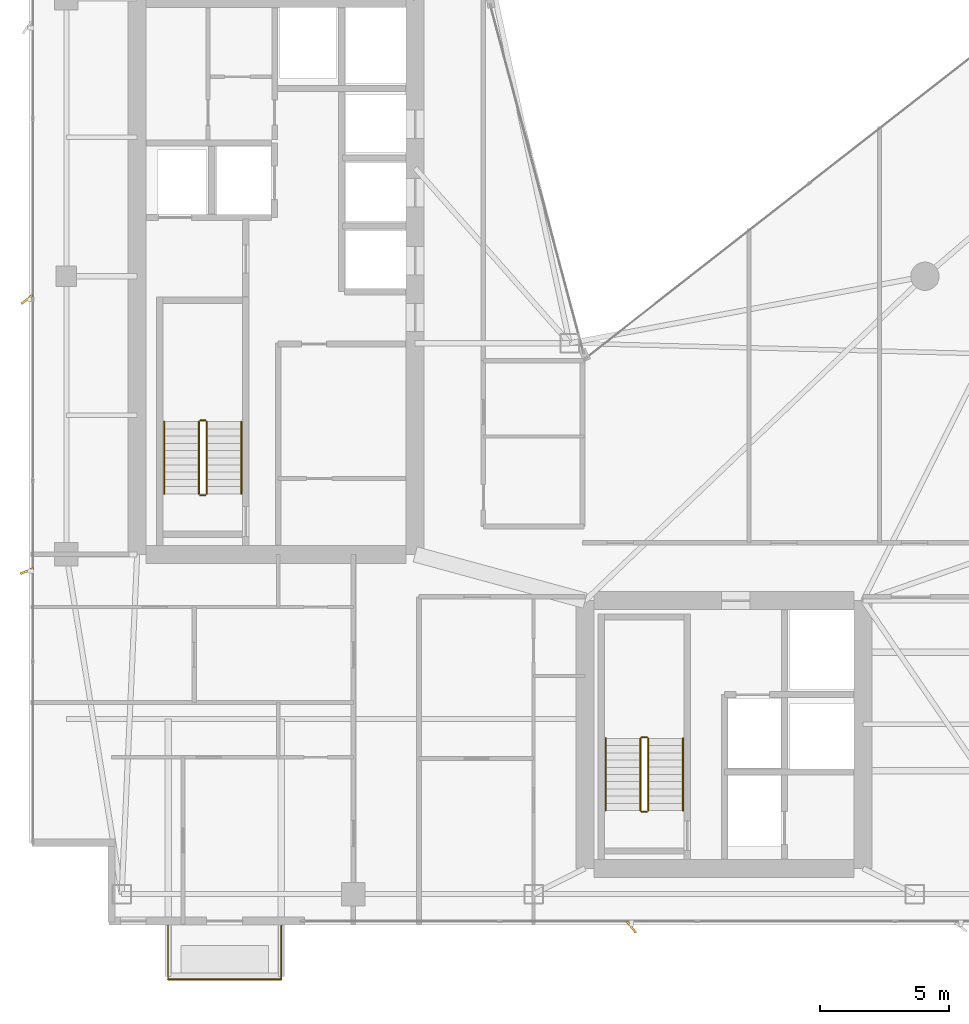
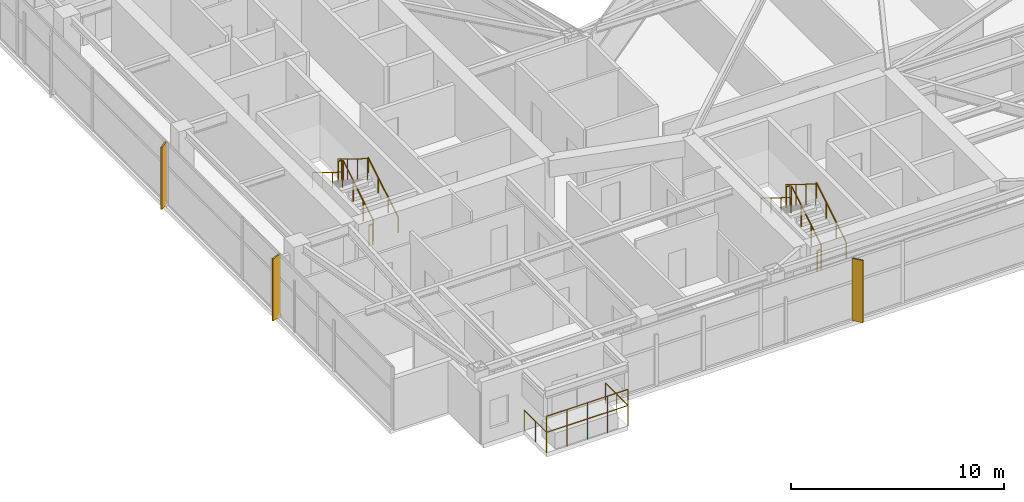
# One storey, part 28 of 29: 14 railings, 3 shading devices.
"""IFC4 building model written with IfcOpenShell, lengths in metres."""

import ifcopenshell
import ifcopenshell.guid

model = None  # the IFC model being written
_history = None  # IfcOwnerHistory: only IFC2X3 demands one
_inside = {}  # id of a spatial element -> (the spatial element, [elements in it])
_under = {}  # id of a project, library or spatial element -> (it, [spatial elements below it])
_declared = {}  # id of a project -> (the project, [libraries it declares])
_typed = {}  # id of a type object -> (the type object, [elements of that type])
_made_of = {}  # id of a material, layer set ... -> (it, [elements and type objects made of it])


def new_model(schema):
    """Start an empty IFC model of exactly this schema.

    Asked for "IFC4X3", IfcOpenShell would pick the latest addendum, in which some entities
    have other attributes; the version numbers below select the first issue.
    IFC2X3 requires an IfcOwnerHistory on every rooted entity: one is made here for all.
    """
    global model, _history
    if schema == "IFC4X3":
        model = ifcopenshell.file(schema_version=(4, 3, 0, 0))
    else:
        model = ifcopenshell.file(schema=schema)
    _inside.clear()
    _under.clear()
    _declared.clear()
    _typed.clear()
    _made_of.clear()
    _history = None
    if model.schema == "IFC2X3":
        org = make("IfcOrganization", Name="unknown")
        user = make(
            "IfcPersonAndOrganization",
            ThePerson=make("IfcPerson", FamilyName="unknown"),
            TheOrganization=org,
        )
        app = make(
            "IfcApplication",
            ApplicationDeveloper=org,
            Version="unknown",
            ApplicationFullName="unknown",
            ApplicationIdentifier="unknown",
        )
        _history = make(
            "IfcOwnerHistory",
            OwningUser=user,
            OwningApplication=app,
            ChangeAction="ADDED",
            CreationDate=0,
        )
    return model


def make(cls, **values):
    """One entity of the class cls with the attributes given. An attribute that is None is left unset."""
    return model.create_entity(
        cls, **{name: value for name, value in values.items() if value is not None}
    )


def rooted(cls, **values):
    """An entity with a GlobalId (a new one), such as an element, a storey or a relation."""
    return make(cls, GlobalId=ifcopenshell.guid.new(), OwnerHistory=_history, **values)


def si_unit(unit_type, name, prefix=None):
    """IfcSIUnit, for example si_unit("LENGTHUNIT", "METRE", prefix="MILLI")."""
    return make("IfcSIUnit", UnitType=unit_type, Prefix=prefix, Name=name)


def assignment(units):
    """IfcUnitAssignment: the units of a project."""
    return None if units is None else make("IfcUnitAssignment", Units=units)


def point(xyz):
    """IfcCartesianPoint."""
    return None if xyz is None else make("IfcCartesianPoint", Coordinates=xyz)


def direction(xyz):
    """IfcDirection."""
    return None if xyz is None else make("IfcDirection", DirectionRatios=xyz)


def frame(location, z_axis=None, x_axis=None):
    """IfcAxis2Placement3D, a coordinate frame: its origin and axes. An axis left out is left unset."""
    return make(
        "IfcAxis2Placement3D",
        Location=point(location),
        Axis=direction(z_axis),
        RefDirection=direction(x_axis),
    )


def frame_2d(location, x_axis=None):
    """IfcAxis2Placement2D, a coordinate frame in the plane: its origin and x axis."""
    return make(
        "IfcAxis2Placement2D", Location=point(location), RefDirection=direction(x_axis)
    )


def origin():
    """The frame at (0, 0, 0) with its axes left unset."""
    return frame((0.0, 0.0, 0.0))


def origin_2d():
    """The frame at (0, 0) in the plane with its x axis left unset."""
    return frame_2d((0.0, 0.0))


def place(relative_to, where):
    """IfcLocalPlacement: puts the frame where relative to a parent placement (None: the world)."""
    return make(
        "IfcLocalPlacement", PlacementRelTo=relative_to, RelativePlacement=where
    )


def context(
    kind, dimensions, precision=None, world=None, true_north=None, identifier=None
):
    """IfcGeometricRepresentationContext, for example the 3D "Model" context."""
    return make(
        "IfcGeometricRepresentationContext",
        ContextIdentifier=identifier,
        ContextType=kind,
        CoordinateSpaceDimension=dimensions,
        Precision=precision,
        WorldCoordinateSystem=world,
        TrueNorth=true_north,
    )


def subcontext(parent, identifier, kind, view, scale=None):
    """IfcGeometricRepresentationSubContext, for example "Body" below "Model"."""
    return make(
        "IfcGeometricRepresentationSubContext",
        ContextIdentifier=identifier,
        ContextType=kind,
        ParentContext=parent,
        TargetScale=scale,
        TargetView=view,
    )


def project(units=None, contexts=None):
    """IfcProject with its units and contexts."""
    return rooted(
        "IfcProject",
        Name="project",
        RepresentationContexts=contexts,
        UnitsInContext=assignment(units),
    )


def spatial(cls, under=None, at=None, **own):
    """A site, building, storey or space (cls), placed at a placement, below another one or the project."""
    s = rooted(cls, ObjectPlacement=at, **own)
    if under is not None:
        _under.setdefault(under.id(), (under, []))[1].append(s)
    return s


def profile(cls, at=None, kind="AREA", **sizes):
    """A parametric profile (cls). Its sizes go by their IFC names, for example OverallWidth=200.0."""
    return make(cls, ProfileType=kind, Position=at, **sizes)


def rectangle(**sizes):
    """IfcRectangleProfileDef."""
    return profile("IfcRectangleProfileDef", **sizes)


def circle(**sizes):
    """IfcCircleProfileDef."""
    return profile("IfcCircleProfileDef", **sizes)


def extrude(swept, where, along, depth):
    """IfcExtrudedAreaSolid: the profile swept, set in the frame where, extruded along a direction by depth."""
    return make(
        "IfcExtrudedAreaSolid",
        SweptArea=swept,
        Position=where,
        ExtrudedDirection=direction(along),
        Depth=depth,
    )


def shape(context_of_items, identifier, shape_type, items):
    """IfcShapeRepresentation: the items that make up one representation, for example the "Body"."""
    return make(
        "IfcShapeRepresentation",
        ContextOfItems=context_of_items,
        RepresentationIdentifier=identifier,
        RepresentationType=shape_type,
        Items=items,
    )


def material(Name=None, Category=None):
    """IfcMaterial."""
    return make("IfcMaterial", Name=Name, Category=Category)


def made_of(thing, what):
    """Note that an element or type object is made of a material, layer set ...; save() writes the relation."""
    if what is not None:
        _made_of.setdefault(what.id(), (what, []))[1].append(thing)
    return thing


def type_object(cls, material=None, **own):
    """A type object (cls), such as IfcWallType, which elements share."""
    return made_of(rooted(cls, **own), material)


def element(
    cls,
    number,
    at=None,
    inside=None,
    cuts=None,
    type_object=None,
    material=None,
    context=None,
    identifier="Body",
    shape_type=None,
    held_by="IfcProductDefinitionShape",
    body=None,
    shapes=None,
    **own,
):
    """One element of the class cls, such as IfcWall. Its Tag is "e" and its number.

    at: its placement. inside: the storey or other place that contains it. cuts: it is an
    opening in that element (IfcRelVoidsElement). A single representation is given by context,
    identifier, shape_type and body (its items); several are given by shapes. held_by: the class
    of the entity that holds the representations. save() writes the other relations.
    """
    e = rooted(cls, Tag="e%d" % number, ObjectPlacement=at, **own)
    if body is not None:
        shapes = [shape(context, identifier, shape_type, body)]
    if shapes is not None:
        e.Representation = make(held_by, Representations=shapes)
    if inside is not None:
        _inside.setdefault(inside.id(), (inside, []))[1].append(e)
    if cuts is not None:
        rooted(
            "IfcRelVoidsElement", RelatingBuildingElement=cuts, RelatedOpeningElement=e
        )
    if type_object is not None:
        _typed.setdefault(type_object.id(), (type_object, []))[1].append(e)
    return made_of(e, material)


def aggregate(whole, parts):
    """IfcRelAggregates: a whole, such as a stair, and the parts it consists of."""
    return rooted("IfcRelAggregates", RelatingObject=whole, RelatedObjects=parts)


def save(model, path):
    """Write the relations noted so far, then the file.

    IfcRelAggregates (storeys below a building ...), IfcRelContainedInSpatialStructure (elements
    in a storey), IfcRelDefinesByType, IfcRelAssociatesMaterial and IfcRelDeclares: one each for
    every whole, place, type object, material and project.
    """
    for whole, parts in _under.values():
        aggregate(whole, parts)
    for where, things in _inside.values():
        rooted(
            "IfcRelContainedInSpatialStructure",
            RelatedElements=things,
            RelatingStructure=where,
        )
    for kind, things in _typed.values():
        rooted("IfcRelDefinesByType", RelatedObjects=things, RelatingType=kind)
    for what, things in _made_of.values():
        rooted("IfcRelAssociatesMaterial", RelatedObjects=things, RelatingMaterial=what)
    for by, libraries in _declared.values():
        rooted("IfcRelDeclares", RelatingContext=by, RelatedDefinitions=libraries)
    model.write(path)


model = new_model("IFC4")

# Units and contexts
model_context = context("Model", 3, precision=1e-05, world=origin(), true_north=direction((0.0, 1.0)))
body_context = subcontext(model_context, "Body", "Model", "MODEL_VIEW")
ifc_project = project(units=[si_unit("LENGTHUNIT", "METRE"), si_unit("AREAUNIT", "SQUARE_METRE"), si_unit("VOLUMEUNIT", "CUBIC_METRE"), si_unit("PLANEANGLEUNIT", "RADIAN"), si_unit("MASSUNIT", "GRAM", prefix="KILO")], contexts=[model_context])

# Site, building, storey
site_placement = place(None, origin())
site = spatial("IfcSite", under=ifc_project, at=site_placement, CompositionType="ELEMENT")
building_placement = place(site_placement, origin())
building = spatial("IfcBuilding", under=site, at=building_placement, Name="Calvorn Quay Hotel", CompositionType="ELEMENT")
storey_placement = place(building_placement, frame((0.0, 0.0, 211.0)))
storey = spatial("IfcBuildingStorey", under=building, at=storey_placement, Name="L52", CompositionType="ELEMENT", Elevation=211.0)

# Railings
ifc_material_1 = material(Name="Pale Anodised Aluminium and Laminated Glass", Category="aluminium")
railing_type_1 = type_object("IfcRailingType", Name="RLG-BALUSTRADE-1200", PredefinedType="BALUSTRADE", material=ifc_material_1)
railing_1_placement = place(storey_placement, frame((5.39990234375, 2.389892578125, 0.0)))
element("IfcRailing", 1, at=railing_1_placement, inside=storey, type_object=railing_type_1, Name="Tree Balcony Perimeter Balustrade L52-BALC-S", PredefinedType="BALUSTRADE", context=body_context, shape_type="SweptSolid", body=[
    extrude(circle(Radius=0.02392578125, at=origin_2d()), frame((0.0, 0.0, 1.17578125), z_axis=(0.0, -1.0, 0.0), x_axis=(1.0, 0.0, 0.0)), (0.0, 0.0, 1.0), 2.099853515625),
    extrude(circle(Radius=0.02392578125, at=origin_2d()), frame((0.0, -2.099853515625, 1.17578125), z_axis=(1.0, 0.0, 0.0), x_axis=(0.0, 1.0, 0.0)), (0.0, 0.0, 1.0), 4.400146484375),
    extrude(circle(Radius=0.02392578125, at=origin_2d()), frame((4.400146484375, -2.099853515625, 1.17578125), z_axis=(0.0, 1.0, 0.0), x_axis=(-1.0, 0.0, 0.0)), (0.0, 0.0, 1.0), 2.099853515625),
    extrude(circle(Radius=0.02099609375, at=origin_2d()), origin(), (0.0, 0.0, 1.0), 1.15185546875),
    extrude(circle(Radius=0.02099609375, at=origin_2d()), frame((0.0, -1.0498046875, 0.0)), (0.0, 0.0, 1.0), 1.15185546875),
    extrude(circle(Radius=0.02099609375, at=origin_2d()), frame((0.0, -2.099853515625, 0.0)), (0.0, 0.0, 1.0), 1.15185546875),
    extrude(circle(Radius=0.02099609375, at=origin_2d()), frame((1.10009765625, -2.099853515625, 0.0)), (0.0, 0.0, 1.0), 1.15185546875),
    extrude(circle(Radius=0.02099609375, at=origin_2d()), frame((2.2001953125, -2.099853515625, 0.0)), (0.0, 0.0, 1.0), 1.15185546875),
    extrude(circle(Radius=0.02099609375, at=origin_2d()), frame((3.300048828125, -2.099853515625, 0.0)), (0.0, 0.0, 1.0), 1.15185546875),
    extrude(circle(Radius=0.02099609375, at=origin_2d()), frame((4.400146484375, -2.099853515625, 0.0)), (0.0, 0.0, 1.0), 1.15185546875),
    extrude(circle(Radius=0.02099609375, at=origin_2d()), frame((4.400146484375, -1.0498046875, 0.0)), (0.0, 0.0, 1.0), 1.15185546875),
    extrude(circle(Radius=0.02099609375, at=origin_2d()), frame((4.400146484375, 0.0, 0.0)), (0.0, 0.0, 1.0), 1.15185546875),
])
railing_2_placement = place(storey_placement, frame((5.39990234375, 0.2900390625, 0.89990234375)))
element("IfcRailing", 2, at=railing_2_placement, inside=storey, type_object=railing_type_1, Name="Planter Kerb High Safety Screen L52-BALC-S", PredefinedType="BALUSTRADE", context=body_context, shape_type="SweptSolid", body=[
    extrude(circle(Radius=0.02392578125, at=origin_2d()), frame((0.0, 0.0, 1.19580078125), z_axis=(1.0, 0.0, 0.0), x_axis=(0.0, 1.0, 0.0)), (0.0, 0.0, 1.0), 4.400146484375),
    extrude(circle(Radius=0.02099609375, at=origin_2d()), origin(), (0.0, 0.0, 1.0), 1.171875),
    extrude(circle(Radius=0.02099609375, at=origin_2d()), frame((1.10009765625, 0.0, 0.0)), (0.0, 0.0, 1.0), 1.171875),
    extrude(circle(Radius=0.02099609375, at=origin_2d()), frame((2.2001953125, 0.0, 0.0)), (0.0, 0.0, 1.0), 1.171875),
    extrude(circle(Radius=0.02099609375, at=origin_2d()), frame((3.300048828125, 0.0, 0.0)), (0.0, 0.0, 1.0), 1.171875),
    extrude(circle(Radius=0.02099609375, at=origin_2d()), frame((4.400146484375, 0.0, 0.0)), (0.0, 0.0, 1.0), 1.171875),
])
ifc_material_2 = material(Name="Brushed Stainless Steel Handrail", Category="steel")
railing_type_2 = type_object("IfcRailingType", Name="RLG-HANDRAIL-900", PredefinedType="HANDRAIL", material=ifc_material_2)
railing_3_placement = place(storey_placement, frame((8.25, 19.14990234375, 0.172607421875)))
element("IfcRailing", 3, at=railing_3_placement, inside=storey, type_object=railing_type_2, Name="L52 ST-W stair handrail 1", PredefinedType="HANDRAIL", context=body_context, shape_type="SweptSolid", body=[
    extrude(circle(Radius=0.02392578125, at=origin_2d()), frame((0.0, 0.0, 0.8759765625), z_axis=(0.0, 0.851089632645, 0.525020415988), x_axis=(-1.0, 0.0, 0.0)), (0.0, 0.0, 1.0), 3.2900390625),
    extrude(circle(Radius=0.02099609375, at=origin_2d()), origin(), (0.0, 0.0, 1.0), 0.851806640625),
    extrude(circle(Radius=0.02099609375, at=origin_2d()), frame((0.0, 0.933349609375, 0.57568359375)), (0.0, 0.0, 1.0), 0.851806640625),
    extrude(circle(Radius=0.02099609375, at=origin_2d()), frame((0.0, 1.86669921875, 1.151611328125)), (0.0, 0.0, 1.0), 0.851806640625),
    extrude(circle(Radius=0.02099609375, at=origin_2d()), frame((0.0, 2.800048828125, 1.727294921875)), (0.0, 0.0, 1.0), 0.851806640625),
])
railing_4_placement = place(storey_placement, frame((5.25, 21.949951171875, 2.07275390625)))
element("IfcRailing", 4, at=railing_4_placement, inside=storey, type_object=railing_type_2, Name="L52 ST-W stair handrail 2", PredefinedType="HANDRAIL", context=body_context, shape_type="SweptSolid", body=[
    extrude(circle(Radius=0.02392578125, at=origin_2d()), frame((0.0, 0.0, 0.8759765625), z_axis=(0.0, -0.851089632645, 0.525020415988), x_axis=(1.0, 0.0, 0.0)), (0.0, 0.0, 1.0), 3.2900390625),
    extrude(circle(Radius=0.02099609375, at=origin_2d()), origin(), (0.0, 0.0, 1.0), 0.851806640625),
    extrude(circle(Radius=0.02099609375, at=origin_2d()), frame((0.0, -0.933349609375, 0.57568359375)), (0.0, 0.0, 1.0), 0.851806640625),
    extrude(circle(Radius=0.02099609375, at=origin_2d()), frame((0.0, -1.86669921875, 1.151611328125)), (0.0, 0.0, 1.0), 0.851806640625),
    extrude(circle(Radius=0.02099609375, at=origin_2d()), frame((0.0, -2.800048828125, 1.727294921875)), (0.0, 0.0, 1.0), 0.851806640625),
])
railing_5_placement = place(storey_placement, frame((25.39990234375, 6.85009765625, 0.172607421875)))
element("IfcRailing", 5, at=railing_5_placement, inside=storey, type_object=railing_type_2, Name="L52 ST-E stair handrail 1", PredefinedType="HANDRAIL", context=body_context, shape_type="SweptSolid", body=[
    extrude(circle(Radius=0.02392578125, at=origin_2d()), frame((0.0, 0.0, 0.8759765625), z_axis=(0.0, 0.851069175582, 0.525053576669), x_axis=(-1.0, 0.0, 0.0)), (0.0, 0.0, 1.0), 3.289794921875),
    extrude(circle(Radius=0.02099609375, at=origin_2d()), origin(), (0.0, 0.0, 1.0), 0.851806640625),
    extrude(circle(Radius=0.02099609375, at=origin_2d()), frame((0.0, 0.933349609375, 0.57568359375)), (0.0, 0.0, 1.0), 0.851806640625),
    extrude(circle(Radius=0.02099609375, at=origin_2d()), frame((0.0, 1.866455078125, 1.151611328125)), (0.0, 0.0, 1.0), 0.851806640625),
    extrude(circle(Radius=0.02099609375, at=origin_2d()), frame((0.0, 2.7998046875, 1.727294921875)), (0.0, 0.0, 1.0), 0.851806640625),
])
railing_6_placement = place(storey_placement, frame((22.39990234375, 9.64990234375, 2.07275390625)))
element("IfcRailing", 6, at=railing_6_placement, inside=storey, type_object=railing_type_2, Name="L52 ST-E stair handrail 2", PredefinedType="HANDRAIL", context=body_context, shape_type="SweptSolid", body=[
    extrude(circle(Radius=0.02392578125, at=origin_2d()), frame((0.0, 0.0, 0.8759765625), z_axis=(0.0, -0.851069175582, 0.525053576669), x_axis=(1.0, 0.0, 0.0)), (0.0, 0.0, 1.0), 3.289794921875),
    extrude(circle(Radius=0.02099609375, at=origin_2d()), origin(), (0.0, 0.0, 1.0), 0.851806640625),
    extrude(circle(Radius=0.02099609375, at=origin_2d()), frame((0.0, -0.933349609375, 0.57568359375)), (0.0, 0.0, 1.0), 0.851806640625),
    extrude(circle(Radius=0.02099609375, at=origin_2d()), frame((0.0, -1.866455078125, 1.151611328125)), (0.0, 0.0, 1.0), 0.851806640625),
    extrude(circle(Radius=0.02099609375, at=origin_2d()), frame((0.0, -2.7998046875, 1.727294921875)), (0.0, 0.0, 1.0), 0.851806640625),
])
ifc_material_3 = material(Name="Painted Galvanised Steel Balustrade", Category="steel")
railing_type_3 = type_object("IfcRailingType", Name="RLG-STAIR-GUARD-1120", PredefinedType="GUARDRAIL", material=ifc_material_3)
railing_7_placement = place(storey_placement, frame((6.89990234375, 19.14990234375, 0.172607421875)))
element("IfcRailing", 7, at=railing_7_placement, inside=storey, type_object=railing_type_3, Name="L52 ST-W stair guard 1", PredefinedType="GUARDRAIL", context=body_context, shape_type="SweptSolid", body=[
    extrude(circle(Radius=0.02392578125, at=origin_2d()), frame((0.0, 0.0, 1.17578125), z_axis=(0.0, 0.851089632645, 0.525020415988), x_axis=(-1.0, 0.0, 0.0)), (0.0, 0.0, 1.0), 3.2900390625),
    extrude(circle(Radius=0.02099609375, at=origin_2d()), origin(), (0.0, 0.0, 1.0), 1.15185546875),
    extrude(circle(Radius=0.02099609375, at=origin_2d()), frame((0.0, 0.933349609375, 0.57568359375)), (0.0, 0.0, 1.0), 1.15185546875),
    extrude(circle(Radius=0.02099609375, at=origin_2d()), frame((0.0, 1.86669921875, 1.151611328125)), (0.0, 0.0, 1.0), 1.15185546875),
    extrude(circle(Radius=0.02099609375, at=origin_2d()), frame((0.0, 2.800048828125, 1.727294921875)), (0.0, 0.0, 1.0), 1.15185546875),
])
railing_8_placement = place(storey_placement, frame((6.85009765625, 22.0, 1.89990234375)))
element("IfcRailing", 8, at=railing_8_placement, inside=storey, type_object=railing_type_3, Name="L52 ST-W stair guard 2", PredefinedType="GUARDRAIL", context=body_context, shape_type="SweptSolid", body=[
    extrude(circle(Radius=0.02392578125, at=origin_2d()), frame((0.0, 0.0, 1.17578125), z_axis=(-1.0, 0.0, 0.0), x_axis=(0.0, -1.0, 0.0)), (0.0, 0.0, 1.0), 0.2001953125),
    extrude(circle(Radius=0.02099609375, at=origin_2d()), origin(), (0.0, 0.0, 1.0), 1.15185546875),
    extrude(circle(Radius=0.02099609375, at=origin_2d()), frame((-0.2001953125, 0.0, 0.0)), (0.0, 0.0, 1.0), 1.15185546875),
])
railing_9_placement = place(storey_placement, frame((6.60009765625, 21.949951171875, 2.07275390625)))
element("IfcRailing", 9, at=railing_9_placement, inside=storey, type_object=railing_type_3, Name="L52 ST-W stair guard 3", PredefinedType="GUARDRAIL", context=body_context, shape_type="SweptSolid", body=[
    extrude(circle(Radius=0.02392578125, at=origin_2d()), frame((0.0, 0.0, 1.17578125), z_axis=(0.0, -0.851089632645, 0.525020415988), x_axis=(1.0, 0.0, 0.0)), (0.0, 0.0, 1.0), 3.2900390625),
    extrude(circle(Radius=0.02099609375, at=origin_2d()), origin(), (0.0, 0.0, 1.0), 1.15185546875),
    extrude(circle(Radius=0.02099609375, at=origin_2d()), frame((0.0, -0.933349609375, 0.57568359375)), (0.0, 0.0, 1.0), 1.15185546875),
    extrude(circle(Radius=0.02099609375, at=origin_2d()), frame((0.0, -1.86669921875, 1.151611328125)), (0.0, 0.0, 1.0), 1.15185546875),
    extrude(circle(Radius=0.02099609375, at=origin_2d()), frame((0.0, -2.800048828125, 1.727294921875)), (0.0, 0.0, 1.0), 1.15185546875),
])
railing_10_placement = place(storey_placement, frame((6.85009765625, 19.10009765625, 0.0)))
element("IfcRailing", 10, at=railing_10_placement, inside=storey, type_object=railing_type_3, Name="L52 ST-W stair guard 4", PredefinedType="GUARDRAIL", context=body_context, shape_type="SweptSolid", body=[
    extrude(circle(Radius=0.02392578125, at=origin_2d()), frame((0.0, 0.0, 1.17578125), z_axis=(-1.0, 0.0, 0.0), x_axis=(0.0, -1.0, 0.0)), (0.0, 0.0, 1.0), 0.2001953125),
    extrude(circle(Radius=0.02099609375, at=origin_2d()), origin(), (0.0, 0.0, 1.0), 1.15185546875),
    extrude(circle(Radius=0.02099609375, at=origin_2d()), frame((-0.2001953125, 0.0, 0.0)), (0.0, 0.0, 1.0), 1.15185546875),
])
railing_11_placement = place(storey_placement, frame((24.050048828125, 6.85009765625, 0.172607421875)))
element("IfcRailing", 11, at=railing_11_placement, inside=storey, type_object=railing_type_3, Name="L52 ST-E stair guard 1", PredefinedType="GUARDRAIL", context=body_context, shape_type="SweptSolid", body=[
    extrude(circle(Radius=0.02392578125, at=origin_2d()), frame((0.0, 0.0, 1.17578125), z_axis=(0.0, 0.851069175582, 0.525053576669), x_axis=(-1.0, 0.0, 0.0)), (0.0, 0.0, 1.0), 3.289794921875),
    extrude(circle(Radius=0.02099609375, at=origin_2d()), origin(), (0.0, 0.0, 1.0), 1.15185546875),
    extrude(circle(Radius=0.02099609375, at=origin_2d()), frame((0.0, 0.933349609375, 0.57568359375)), (0.0, 0.0, 1.0), 1.15185546875),
    extrude(circle(Radius=0.02099609375, at=origin_2d()), frame((0.0, 1.866455078125, 1.151611328125)), (0.0, 0.0, 1.0), 1.15185546875),
    extrude(circle(Radius=0.02099609375, at=origin_2d()), frame((0.0, 2.7998046875, 1.727294921875)), (0.0, 0.0, 1.0), 1.15185546875),
])
railing_12_placement = place(storey_placement, frame((24.0, 9.699951171875, 1.89990234375)))
element("IfcRailing", 12, at=railing_12_placement, inside=storey, type_object=railing_type_3, Name="L52 ST-E stair guard 2", PredefinedType="GUARDRAIL", context=body_context, shape_type="SweptSolid", body=[
    extrude(circle(Radius=0.02392578125, at=origin_2d()), frame((0.0, 0.0, 1.17578125), z_axis=(-1.0, 0.0, 0.0), x_axis=(0.0, -1.0, 0.0)), (0.0, 0.0, 1.0), 0.199951171875),
    extrude(circle(Radius=0.02099609375, at=origin_2d()), origin(), (0.0, 0.0, 1.0), 1.15185546875),
    extrude(circle(Radius=0.02099609375, at=origin_2d()), frame((-0.199951171875, 0.0, 0.0)), (0.0, 0.0, 1.0), 1.15185546875),
])
railing_13_placement = place(storey_placement, frame((23.75, 9.64990234375, 2.07275390625)))
element("IfcRailing", 13, at=railing_13_placement, inside=storey, type_object=railing_type_3, Name="L52 ST-E stair guard 3", PredefinedType="GUARDRAIL", context=body_context, shape_type="SweptSolid", body=[
    extrude(circle(Radius=0.02392578125, at=origin_2d()), frame((0.0, 0.0, 1.17578125), z_axis=(0.0, -0.851069175582, 0.525053576669), x_axis=(1.0, 0.0, 0.0)), (0.0, 0.0, 1.0), 3.289794921875),
    extrude(circle(Radius=0.02099609375, at=origin_2d()), origin(), (0.0, 0.0, 1.0), 1.15185546875),
    extrude(circle(Radius=0.02099609375, at=origin_2d()), frame((0.0, -0.933349609375, 0.57568359375)), (0.0, 0.0, 1.0), 1.15185546875),
    extrude(circle(Radius=0.02099609375, at=origin_2d()), frame((0.0, -1.866455078125, 1.151611328125)), (0.0, 0.0, 1.0), 1.15185546875),
    extrude(circle(Radius=0.02099609375, at=origin_2d()), frame((0.0, -2.7998046875, 1.727294921875)), (0.0, 0.0, 1.0), 1.15185546875),
])
railing_14_placement = place(storey_placement, frame((24.0, 6.800048828125, 0.0)))
element("IfcRailing", 14, at=railing_14_placement, inside=storey, type_object=railing_type_3, Name="L52 ST-E stair guard 4", PredefinedType="GUARDRAIL", context=body_context, shape_type="SweptSolid", body=[
    extrude(circle(Radius=0.02392578125, at=origin_2d()), frame((0.0, 0.0, 1.17578125), z_axis=(-1.0, 0.0, 0.0), x_axis=(0.0, -1.0, 0.0)), (0.0, 0.0, 1.0), 0.199951171875),
    extrude(circle(Radius=0.02099609375, at=origin_2d()), origin(), (0.0, 0.0, 1.0), 1.15185546875),
    extrude(circle(Radius=0.02099609375, at=origin_2d()), frame((-0.199951171875, 0.0, 0.0)), (0.0, 0.0, 1.0), 1.15185546875),
])

# Shading devices
ifc_material_4 = material(Name="Champagne Bronze Anodised Aluminium 6063-T6", Category="aluminium")
shading_device_type_1 = type_object("IfcShadingDeviceType", Name="SHD-FIN-A1", PredefinedType="USERDEFINED", material=ifc_material_4)
shading_device_placement = place(storey_placement, frame((-0.080078125, 16.14990234375, 0.0), z_axis=(0.0, 0.0, 1.0), x_axis=(0.927183854567, 0.374606593416, 0.0)))
element("IfcShadingDevice", 15, at=shading_device_placement, inside=storey, type_object=shading_device_type_1, Name="Diagonal Sun-Shading Fin L52-W01", ObjectType="FIN", PredefinedType="USERDEFINED", context=body_context, shape_type="SweptSolid", body=[
    extrude(rectangle(XDim=0.550048828125, YDim=0.080078125, at=origin_2d()), origin(), (0.0, 0.0, 1.0), 3.56005859375),
])
ifc_material_5 = material(Name="Champagne Bronze Anodised Aluminium 6063-T6", Category="aluminium")
shading_device_type_2 = type_object("IfcShadingDeviceType", Name="SHD-FIN-A2", PredefinedType="USERDEFINED", material=ifc_material_5)
for number, where, z_axis, x_axis, name in (
    (16, (-0.080078125, 26.699951171875, 0.0), (0.0, 0.0, 1.0), (0.788010753607, 0.615661475326, 0.0), "Diagonal Sun-Shading Fin L52-W02"),
    (17, (23.39990234375, 2.320068359375, 0.0), (0.0, 0.0, 1.0), (-0.615661475326, 0.788010753607, 0.0), "Diagonal Sun-Shading Fin L52-S01"),
):
    element("IfcShadingDevice", number, at=place(storey_placement, frame(where, z_axis=z_axis, x_axis=x_axis)), inside=storey, type_object=shading_device_type_2, Name=name, ObjectType="FIN", PredefinedType="USERDEFINED", context=body_context, shape_type="SweptSolid", body=[
        extrude(rectangle(XDim=0.550048828125, YDim=0.080078125, at=origin_2d()), origin(), (0.0, 0.0, 1.0), 3.56005859375),
    ])

save(model, "model.ifc")
